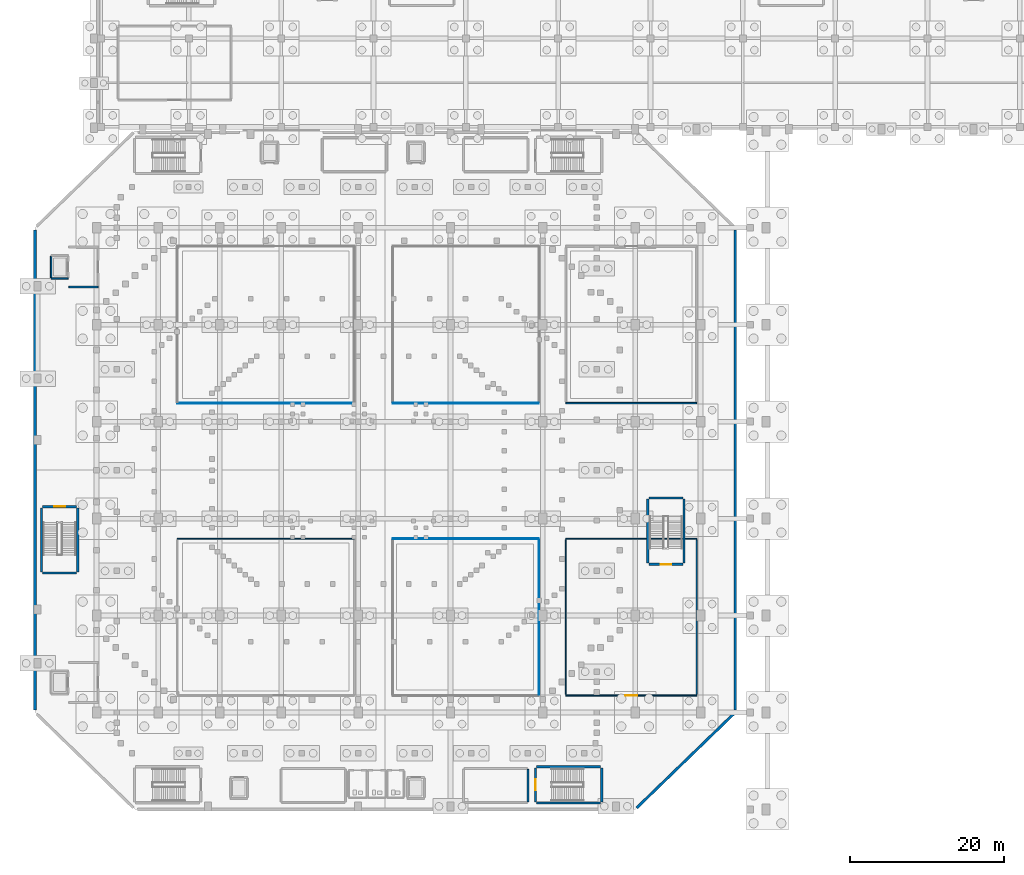
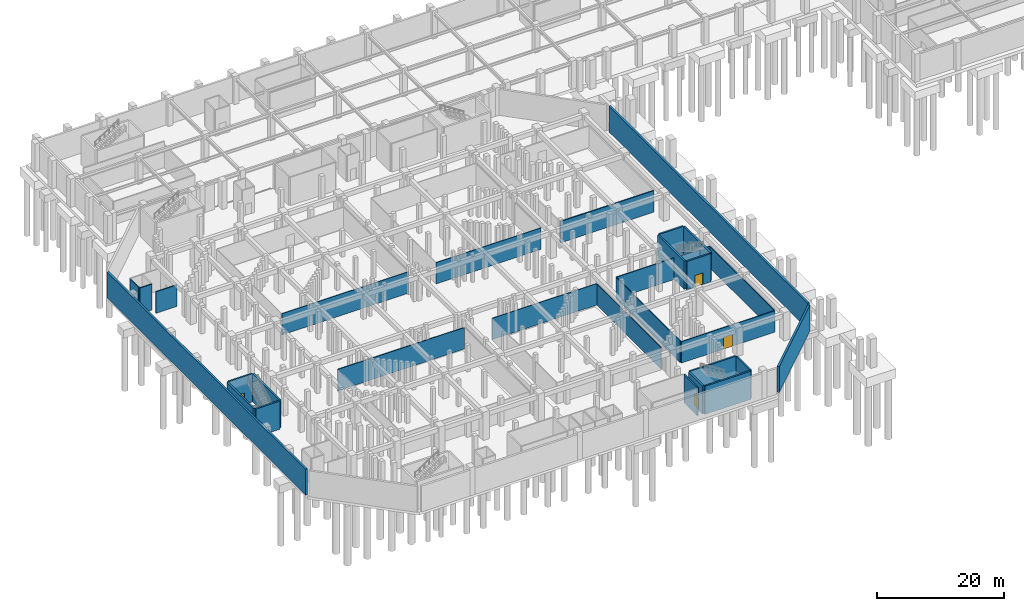
# One storey, part 15 of 27: 29 walls, 4 doors, 4 openings.
"""IFC4 building model written with IfcOpenShell, lengths in metres."""

import ifcopenshell
import ifcopenshell.guid

model = None  # the IFC model being written
_history = None  # IfcOwnerHistory: only IFC2X3 demands one
_inside = {}  # id of a spatial element -> (the spatial element, [elements in it])
_under = {}  # id of a project, library or spatial element -> (it, [spatial elements below it])
_declared = {}  # id of a project -> (the project, [libraries it declares])
_typed = {}  # id of a type object -> (the type object, [elements of that type])
_made_of = {}  # id of a material, layer set ... -> (it, [elements and type objects made of it])


def new_model(schema):
    """Start an empty IFC model of exactly this schema.

    Asked for "IFC4X3", IfcOpenShell would pick the latest addendum, in which some entities
    have other attributes; the version numbers below select the first issue.
    IFC2X3 requires an IfcOwnerHistory on every rooted entity: one is made here for all.
    """
    global model, _history
    if schema == "IFC4X3":
        model = ifcopenshell.file(schema_version=(4, 3, 0, 0))
    else:
        model = ifcopenshell.file(schema=schema)
    _inside.clear()
    _under.clear()
    _declared.clear()
    _typed.clear()
    _made_of.clear()
    _history = None
    if model.schema == "IFC2X3":
        org = make("IfcOrganization", Name="unknown")
        user = make(
            "IfcPersonAndOrganization",
            ThePerson=make("IfcPerson", FamilyName="unknown"),
            TheOrganization=org,
        )
        app = make(
            "IfcApplication",
            ApplicationDeveloper=org,
            Version="unknown",
            ApplicationFullName="unknown",
            ApplicationIdentifier="unknown",
        )
        _history = make(
            "IfcOwnerHistory",
            OwningUser=user,
            OwningApplication=app,
            ChangeAction="ADDED",
            CreationDate=0,
        )
    return model


def make(cls, **values):
    """One entity of the class cls with the attributes given. An attribute that is None is left unset."""
    return model.create_entity(
        cls, **{name: value for name, value in values.items() if value is not None}
    )


def rooted(cls, **values):
    """An entity with a GlobalId (a new one), such as an element, a storey or a relation."""
    return make(cls, GlobalId=ifcopenshell.guid.new(), OwnerHistory=_history, **values)


def si_unit(unit_type, name, prefix=None):
    """IfcSIUnit, for example si_unit("LENGTHUNIT", "METRE", prefix="MILLI")."""
    return make("IfcSIUnit", UnitType=unit_type, Prefix=prefix, Name=name)


def derived_unit(unit_type, elements):
    """IfcDerivedUnit: a product of units, each with its exponent."""
    return make(
        "IfcDerivedUnit",
        Elements=[
            make("IfcDerivedUnitElement", Unit=unit, Exponent=power)
            for unit, power in elements
        ],
        UnitType=unit_type,
    )


def assignment(units):
    """IfcUnitAssignment: the units of a project."""
    return None if units is None else make("IfcUnitAssignment", Units=units)


def point(xyz):
    """IfcCartesianPoint."""
    return None if xyz is None else make("IfcCartesianPoint", Coordinates=xyz)


def direction(xyz):
    """IfcDirection."""
    return None if xyz is None else make("IfcDirection", DirectionRatios=xyz)


def frame(location, z_axis=None, x_axis=None):
    """IfcAxis2Placement3D, a coordinate frame: its origin and axes. An axis left out is left unset."""
    return make(
        "IfcAxis2Placement3D",
        Location=point(location),
        Axis=direction(z_axis),
        RefDirection=direction(x_axis),
    )


def frame_2d(location, x_axis=None):
    """IfcAxis2Placement2D, a coordinate frame in the plane: its origin and x axis."""
    return make(
        "IfcAxis2Placement2D", Location=point(location), RefDirection=direction(x_axis)
    )


def origin():
    """The frame at (0, 0, 0) with its axes left unset."""
    return frame((0.0, 0.0, 0.0))


def place(relative_to, where):
    """IfcLocalPlacement: puts the frame where relative to a parent placement (None: the world)."""
    return make(
        "IfcLocalPlacement", PlacementRelTo=relative_to, RelativePlacement=where
    )


def context(
    kind, dimensions, precision=None, world=None, true_north=None, identifier=None
):
    """IfcGeometricRepresentationContext, for example the 3D "Model" context."""
    return make(
        "IfcGeometricRepresentationContext",
        ContextIdentifier=identifier,
        ContextType=kind,
        CoordinateSpaceDimension=dimensions,
        Precision=precision,
        WorldCoordinateSystem=world,
        TrueNorth=true_north,
    )


def subcontext(parent, identifier, kind, view, scale=None):
    """IfcGeometricRepresentationSubContext, for example "Body" below "Model"."""
    return make(
        "IfcGeometricRepresentationSubContext",
        ContextIdentifier=identifier,
        ContextType=kind,
        ParentContext=parent,
        TargetScale=scale,
        TargetView=view,
    )


def project(units=None, contexts=None):
    """IfcProject with its units and contexts."""
    return rooted(
        "IfcProject",
        Name="project",
        RepresentationContexts=contexts,
        UnitsInContext=assignment(units),
    )


def spatial(cls, under=None, at=None, **own):
    """A site, building, storey or space (cls), placed at a placement, below another one or the project."""
    s = rooted(cls, ObjectPlacement=at, **own)
    if under is not None:
        _under.setdefault(under.id(), (under, []))[1].append(s)
    return s


def profile(cls, at=None, kind="AREA", **sizes):
    """A parametric profile (cls). Its sizes go by their IFC names, for example OverallWidth=200.0."""
    return make(cls, ProfileType=kind, Position=at, **sizes)


def rectangle(**sizes):
    """IfcRectangleProfileDef."""
    return profile("IfcRectangleProfileDef", **sizes)


def extrude(swept, where, along, depth):
    """IfcExtrudedAreaSolid: the profile swept, set in the frame where, extruded along a direction by depth."""
    return make(
        "IfcExtrudedAreaSolid",
        SweptArea=swept,
        Position=where,
        ExtrudedDirection=direction(along),
        Depth=depth,
    )


def shape(context_of_items, identifier, shape_type, items):
    """IfcShapeRepresentation: the items that make up one representation, for example the "Body"."""
    return make(
        "IfcShapeRepresentation",
        ContextOfItems=context_of_items,
        RepresentationIdentifier=identifier,
        RepresentationType=shape_type,
        Items=items,
    )


def material(Name=None, Category=None):
    """IfcMaterial."""
    return make("IfcMaterial", Name=Name, Category=Category)


def layer(
    of_material, thickness, ventilated=None, Name=None, Category=None, Priority=None
):
    """IfcMaterialLayer: one layer of a wall or slab, of a material (None: an air gap)."""
    return make(
        "IfcMaterialLayer",
        Material=of_material,
        LayerThickness=thickness,
        IsVentilated=ventilated,
        Name=Name,
        Category=Category,
        Priority=Priority,
    )


def layer_set(layers, Name=None):
    """IfcMaterialLayerSet."""
    return make("IfcMaterialLayerSet", MaterialLayers=layers, LayerSetName=Name)


def made_of(thing, what):
    """Note that an element or type object is made of a material, layer set ...; save() writes the relation."""
    if what is not None:
        _made_of.setdefault(what.id(), (what, []))[1].append(thing)
    return thing


def type_object(cls, material=None, **own):
    """A type object (cls), such as IfcWallType, which elements share."""
    return made_of(rooted(cls, **own), material)


def element(
    cls,
    number,
    at=None,
    inside=None,
    cuts=None,
    type_object=None,
    material=None,
    context=None,
    identifier="Body",
    shape_type=None,
    held_by="IfcProductDefinitionShape",
    body=None,
    shapes=None,
    **own,
):
    """One element of the class cls, such as IfcWall. Its Tag is "e" and its number.

    at: its placement. inside: the storey or other place that contains it. cuts: it is an
    opening in that element (IfcRelVoidsElement). A single representation is given by context,
    identifier, shape_type and body (its items); several are given by shapes. held_by: the class
    of the entity that holds the representations. save() writes the other relations.
    """
    e = rooted(cls, Tag="e%d" % number, ObjectPlacement=at, **own)
    if body is not None:
        shapes = [shape(context, identifier, shape_type, body)]
    if shapes is not None:
        e.Representation = make(held_by, Representations=shapes)
    if inside is not None:
        _inside.setdefault(inside.id(), (inside, []))[1].append(e)
    if cuts is not None:
        rooted(
            "IfcRelVoidsElement", RelatingBuildingElement=cuts, RelatedOpeningElement=e
        )
    if type_object is not None:
        _typed.setdefault(type_object.id(), (type_object, []))[1].append(e)
    return made_of(e, material)


def fill(opening, filler):
    """IfcRelFillsElement: the door or window that sits in an opening."""
    return rooted(
        "IfcRelFillsElement",
        RelatingOpeningElement=opening,
        RelatedBuildingElement=filler,
    )


def aggregate(whole, parts):
    """IfcRelAggregates: a whole, such as a stair, and the parts it consists of."""
    return rooted("IfcRelAggregates", RelatingObject=whole, RelatedObjects=parts)


def save(model, path):
    """Write the relations noted so far, then the file.

    IfcRelAggregates (storeys below a building ...), IfcRelContainedInSpatialStructure (elements
    in a storey), IfcRelDefinesByType, IfcRelAssociatesMaterial and IfcRelDeclares: one each for
    every whole, place, type object, material and project.
    """
    for whole, parts in _under.values():
        aggregate(whole, parts)
    for where, things in _inside.values():
        rooted(
            "IfcRelContainedInSpatialStructure",
            RelatedElements=things,
            RelatingStructure=where,
        )
    for kind, things in _typed.values():
        rooted("IfcRelDefinesByType", RelatedObjects=things, RelatingType=kind)
    for what, things in _made_of.values():
        rooted("IfcRelAssociatesMaterial", RelatedObjects=things, RelatingMaterial=what)
    for by, libraries in _declared.values():
        rooted("IfcRelDeclares", RelatingContext=by, RelatedDefinitions=libraries)
    model.write(path)


model = new_model("IFC4")

# Units and contexts
model_context = context("Model", 3, precision=1e-05, world=origin(), true_north=direction((0.0, 1.0)))
body_context = subcontext(model_context, "Body", "Model", "MODEL_VIEW")
ifc_project = project(units=[si_unit("LENGTHUNIT", "METRE"), si_unit("AREAUNIT", "SQUARE_METRE"), si_unit("VOLUMEUNIT", "CUBIC_METRE"), si_unit("PLANEANGLEUNIT", "RADIAN"), si_unit("MASSUNIT", "GRAM", prefix="KILO"), derived_unit("THERMALTRANSMITTANCEUNIT", [(si_unit("MASSUNIT", "GRAM", prefix="KILO"), 1), (si_unit("TIMEUNIT", "SECOND"), -3), (si_unit("THERMODYNAMICTEMPERATUREUNIT", "KELVIN"), -1)])], contexts=[model_context])

# Site, building, storey
site_placement = place(None, origin())
site = spatial("IfcSite", under=ifc_project, at=site_placement, CompositionType="ELEMENT")
building_placement = place(site_placement, origin())
building = spatial("IfcBuilding", under=site, at=building_placement, Name="Valcora Ridge Arena", CompositionType="ELEMENT")
storey_placement = place(building_placement, frame((0.0, 0.0, -5.39990234375)))
storey = spatial("IfcBuildingStorey", under=building, at=storey_placement, Name="B1", CompositionType="ELEMENT", Elevation=-5.39990234375)

# Wall
ifc_material_1 = material(Name="Fire-rated masonry-core compartment wall C35/45 150 mm", Category="masonry")
ifc_layer_1 = layer(ifc_material_1, 0.14990234375, Name="Fire-rated masonry-core compartment wall C35/45 150 mm")
ifc_layer_set_1 = layer_set([ifc_layer_1], Name="Fire-rated masonry-core compartment wall C35/45 150 mm")
wall_type_1 = type_object("IfcWallType", Name="TY-WALL-IW-COMP-150", PredefinedType="STANDARD", material=ifc_layer_set_1)
wall_1_placement = place(storey_placement, frame((34.5, 55.199951171875, 0.0), z_axis=(0.0, 0.0, 1.0), x_axis=(1.0, 0.0, 0.0)))
element("IfcWall", 1, at=wall_1_placement, inside=storey, type_object=wall_type_1, Name="IW-COMP-150 WAL-IN-0192", PredefinedType="STANDARD", context=body_context, shape_type="SweptSolid", body=[
    extrude(rectangle(XDim=23.0, YDim=0.14990234375, at=frame_2d((11.5, 0.0))), origin(), (0.0, 0.0, 1.0), 4.10986328125),
])

# Wall, opening, door
wall_2_placement = place(storey_placement, frame((85.0, 34.800048828125, 0.0), z_axis=(0.0, 0.0, 1.0), x_axis=(1.0, 0.0, 0.0)))
wall_2 = element("IfcWall", 2, at=wall_2_placement, inside=storey, type_object=wall_type_1, Name="IW-COMP-150 WAL-IN-0207", PredefinedType="STANDARD", context=body_context, shape_type="SweptSolid", body=[
    extrude(rectangle(XDim=17.0, YDim=0.14990234375, at=frame_2d((8.5, 0.0))), origin(), (0.0, 0.0, 1.0), 4.10986328125),
])
opening_1_placement = place(wall_2_placement, frame((7.699951171875, 0.0, 0.0)))
opening_1 = element("IfcOpeningElement", 3, at=opening_1_placement, cuts=wall_2, Name="Opening FD-STR-1600", PredefinedType="OPENING", context=body_context, shape_type="SweptSolid", body=[
    extrude(rectangle(XDim=1.60009765625, YDim=2.25, at=frame_2d((0.800048828125, 1.125))), frame((0.0, 0.0849609375, 0.0), z_axis=(0.0, -1.0, 0.0), x_axis=(1.0, 0.0, 0.0)), (0.0, 0.0, 1.0), 0.169921875),
])
ifc_material_2 = material(Name="Insulated fire-rated steel door leaf", Category="steel")
door_type_1 = type_object("IfcDoorType", Name="TY-DOOR-FD-STR-1600", OperationType="NOTDEFINED", PredefinedType="DOOR", material=ifc_material_2)
door_1_placement = place(opening_1_placement, origin())
door_1 = element("IfcDoor", 4, at=door_1_placement, inside=storey, type_object=door_type_1, Name="FD-STR-1600 DOR-IN-0056", OperationType="DOUBLE_DOOR_SINGLE_SWING", OverallHeight=2.25, OverallWidth=1.60009765625, PredefinedType="DOOR", context=body_context, shape_type="SweptSolid", body=[
    extrude(rectangle(XDim=1.60009765625, YDim=2.25, at=frame_2d((0.800048828125, 1.125))), frame((0.0, 0.02490234375, 0.0), z_axis=(0.0, -1.0, 0.0), x_axis=(1.0, 0.0, 0.0)), (0.0, 0.0, 1.0), 0.050048828125),
])
fill(opening_1, door_1)

# Walls
wall_3_placement = place(storey_placement, frame((85.0, 55.199951171875, 0.0), z_axis=(0.0, 0.0, 1.0), x_axis=(1.0, 0.0, 0.0)))
element("IfcWall", 5, at=wall_3_placement, inside=storey, type_object=wall_type_1, Name="IW-COMP-150 WAL-IN-0208", PredefinedType="STANDARD", context=body_context, shape_type="SweptSolid", body=[
    extrude(rectangle(XDim=17.0, YDim=0.14990234375, at=frame_2d((8.5, 0.0))), origin(), (0.0, 0.0, 1.0), 4.10986328125),
])
for number, where, z_axis, x_axis, name in (
    (6, (85.0, 34.949951171875, 0.0), (0.0, 0.0, 1.0), (0.0, 1.0, 0.0), "IW-COMP-150 WAL-IN-0209"),
    (7, (102.0, 34.949951171875, 0.0), (0.0, 0.0, 1.0), (0.0, 1.0, 0.0), "IW-COMP-150 WAL-IN-0210"),
):
    element("IfcWall", number, at=place(storey_placement, frame(where, z_axis=z_axis, x_axis=x_axis)), inside=storey, type_object=wall_type_1, Name=name, PredefinedType="STANDARD", context=body_context, shape_type="SweptSolid", body=[
        extrude(rectangle(XDim=20.10009765625, YDim=0.14990234375, at=frame_2d((10.050048828125, 0.0))), origin(), (0.0, 0.0, 1.0), 4.10986328125),
    ])
ifc_material_3 = material(Name="Fire-resisting reinforced concrete enclosure C40/50 200 mm", Category="concrete")
ifc_layer_2 = layer(ifc_material_3, 0.199951171875, Name="Fire-resisting reinforced concrete enclosure C40/50 200 mm")
ifc_layer_set_2 = layer_set([ifc_layer_2], Name="Fire-resisting reinforced concrete enclosure C40/50 200 mm")
wall_type_2 = type_object("IfcWallType", Name="TY-WALL-IW-FIRE-200", PredefinedType="STANDARD", material=ifc_layer_set_2)
wall_4_placement = place(storey_placement, frame((20.39990234375, 87.89990234375, 0.0), z_axis=(0.0, 0.0, 1.0), x_axis=(1.0, 0.0, 0.0)))
element("IfcWall", 8, at=wall_4_placement, inside=storey, type_object=wall_type_2, Name="IW-FIRE-200 WAL-IN-0022", PredefinedType="STANDARD", context=body_context, shape_type="SweptSolid", body=[
    extrude(rectangle(XDim=3.800048828125, YDim=0.199951171875, at=frame_2d((1.89990234375, 0.0))), origin(), (0.0, 0.0, 1.0), 4.10986328125),
])
wall_5_placement = place(storey_placement, frame((85.0, 72.800048828125, 0.0), z_axis=(0.0, 0.0, 1.0), x_axis=(1.0, 0.0, 0.0)))
element("IfcWall", 9, at=wall_5_placement, inside=storey, type_object=wall_type_2, Name="IW-FIRE-200 WAL-IN-0211", PredefinedType="STANDARD", context=body_context, shape_type="SweptSolid", body=[
    extrude(rectangle(XDim=17.0, YDim=0.199951171875, at=frame_2d((8.5, 0.0))), origin(), (0.0, 0.0, 1.0), 4.10986328125),
])
ifc_material_4 = material(Name="Acoustic metal-stud gypsum partition 120 mm")
ifc_layer_3 = layer(ifc_material_4, 0.1201171875, Name="Acoustic metal-stud gypsum partition 120 mm")
ifc_layer_set_3 = layer_set([ifc_layer_3], Name="Acoustic metal-stud gypsum partition 120 mm")
wall_type_3 = type_object("IfcWallType", Name="TY-WALL-IW-PART-120", PredefinedType="PARTITIONING", material=ifc_layer_set_3)
wall_6_placement = place(storey_placement, frame((62.5, 55.199951171875, 0.0), z_axis=(0.0, 0.0, 1.0), x_axis=(1.0, 0.0, 0.0)))
element("IfcWall", 10, at=wall_6_placement, inside=storey, type_object=wall_type_3, Name="IW-PART-120 WAL-IN-0196", PredefinedType="PARTITIONING", context=body_context, shape_type="SweptSolid", body=[
    extrude(rectangle(XDim=19.0, YDim=0.1201171875, at=frame_2d((9.5, 0.0))), origin(), (0.0, 0.0, 1.0), 4.10986328125),
])
wall_7_placement = place(storey_placement, frame((81.5, 34.919921875, 0.0), z_axis=(0.0, 0.0, 1.0), x_axis=(0.0, 1.0, 0.0)))
element("IfcWall", 11, at=wall_7_placement, inside=storey, type_object=wall_type_3, Name="IW-PART-120 WAL-IN-0198", PredefinedType="PARTITIONING", context=body_context, shape_type="SweptSolid", body=[
    extrude(rectangle(XDim=20.16015625, YDim=0.1201171875, at=frame_2d((10.080078125, 0.0))), origin(), (0.0, 0.0, 1.0), 4.10986328125),
])
wall_8_placement = place(storey_placement, frame((34.5, 72.800048828125, 0.0), z_axis=(0.0, 0.0, 1.0), x_axis=(1.0, 0.0, 0.0)))
element("IfcWall", 12, at=wall_8_placement, inside=storey, type_object=wall_type_3, Name="IW-PART-120 WAL-IN-0199", PredefinedType="PARTITIONING", context=body_context, shape_type="SweptSolid", body=[
    extrude(rectangle(XDim=23.0, YDim=0.1201171875, at=frame_2d((11.5, 0.0))), origin(), (0.0, 0.0, 1.0), 4.10986328125),
])
wall_9_placement = place(storey_placement, frame((62.5, 72.800048828125, 0.0), z_axis=(0.0, 0.0, 1.0), x_axis=(1.0, 0.0, 0.0)))
element("IfcWall", 13, at=wall_9_placement, inside=storey, type_object=wall_type_3, Name="IW-PART-120 WAL-IN-0203", PredefinedType="PARTITIONING", context=body_context, shape_type="SweptSolid", body=[
    extrude(rectangle(XDim=19.0, YDim=0.1201171875, at=frame_2d((9.5, 0.0))), origin(), (0.0, 0.0, 1.0), 4.10986328125),
])
ifc_material_5 = material(Name="Concrete C40/50", Category="concrete")
ifc_layer_4 = layer(ifc_material_5, 0.199951171875, Name="Concrete C40/50")
ifc_layer_set_4 = layer_set([ifc_layer_4], Name="Concrete C40/50")
wall_type_4 = type_object("IfcWallType", Name="TY-WALL-IW-SHF-200", PredefinedType="STANDARD", material=ifc_layer_set_4)
wall_10_placement = place(storey_placement, frame((18.10009765625, 89.0, 0.0), z_axis=(0.0, 0.0, 1.0), x_axis=(1.0, 0.0, 0.0)))
element("IfcWall", 14, at=wall_10_placement, inside=storey, type_object=wall_type_4, Name="IW-SHF-200 WAL-SH-0029", PredefinedType="STANDARD", context=body_context, shape_type="SweptSolid", body=[
    extrude(rectangle(XDim=2.199951171875, YDim=0.199951171875, at=frame_2d((1.10009765625, 0.0))), origin(), (0.0, 0.0, 1.0), 4.9599609375),
])
wall_11_placement = place(storey_placement, frame((18.10009765625, 89.1201171875, 0.0), z_axis=(0.0, 0.0, 1.0), x_axis=(0.0, 1.0, 0.0)))
element("IfcWall", 15, at=wall_11_placement, inside=storey, type_object=wall_type_4, Name="IW-SHF-200 WAL-SH-0031", PredefinedType="STANDARD", context=body_context, shape_type="SweptSolid", body=[
    extrude(rectangle(XDim=2.759765625, YDim=0.199951171875, at=frame_2d((1.3798828125, 0.0))), origin(), (0.0, 0.0, 1.0), 4.9599609375),
])
ifc_material_6 = material(Name="Concrete C45/55", Category="concrete")
ifc_layer_5 = layer(ifc_material_6, 0.300048828125, Name="Concrete C45/55")
ifc_layer_set_5 = layer_set([ifc_layer_5], Name="Concrete C45/55")
wall_type_5 = type_object("IfcWallType", Name="TY-WALL-SW-C300-L", PredefinedType="SHEAR", material=ifc_layer_set_5)
for number, where, z_axis, x_axis, name in (
    (16, (81.199951171875, 20.85009765625, 0.0), (0.0, 0.0, 1.0), (1.0, 0.0, 0.0), "SW-C300-L WAL-CR-0029"),
    (17, (81.199951171875, 25.550048828125, 0.0), (0.0, 0.0, 1.0), (1.0, 0.0, 0.0), "SW-C300-L WAL-CR-0030"),
    (18, (16.85009765625, 50.8798828125, 0.0), (0.0, 0.0, 1.0), (0.0, 1.0, 0.0), "SW-C300-L WAL-CR-0107"),
    (19, (21.550048828125, 50.8798828125, 0.0), (0.0, 0.0, 1.0), (0.0, 1.0, 0.0), "SW-C300-L WAL-CR-0108"),
    (20, (95.64990234375, 52.0, 0.0), (0.0, 0.0, 1.0), (0.0, 1.0, 0.0), "SW-C300-L WAL-CR-0135"),
    (21, (100.35009765625, 52.0, 0.0), (0.0, 0.0, 1.0), (0.0, 1.0, 0.0), "SW-C300-L WAL-CR-0136"),
):
    element("IfcWall", number, at=place(storey_placement, frame(where, z_axis=z_axis, x_axis=x_axis)), inside=storey, type_object=wall_type_5, Name=name, PredefinedType="SHEAR", context=body_context, shape_type="SweptSolid", body=[
        extrude(rectangle(XDim=8.320068359375, YDim=0.300048828125, at=frame_2d((4.16015625, 0.0))), origin(), (0.0, 0.0, 1.0), 5.39990234375),
    ])

# Wall, opening, door
ifc_layer_6 = layer(ifc_material_6, 0.300048828125, Name="Concrete C45/55")
ifc_layer_set_6 = layer_set([ifc_layer_6], Name="Concrete C45/55")
wall_type_6 = type_object("IfcWallType", Name="TY-WALL-SW-C300-S", PredefinedType="SHEAR", material=ifc_layer_set_6)
wall_12_placement = place(storey_placement, frame((81.050048828125, 21.0, 0.0), z_axis=(0.0, 0.0, 1.0), x_axis=(0.0, 1.0, 0.0)))
wall_12 = element("IfcWall", 22, at=wall_12_placement, inside=storey, type_object=wall_type_6, Name="SW-C300-S WAL-CR-0031", PredefinedType="SHEAR", context=body_context, shape_type="SweptSolid", body=[
    extrude(rectangle(XDim=4.39990234375, YDim=0.300048828125, at=frame_2d((2.199951171875, 0.0))), origin(), (0.0, 0.0, 1.0), 5.39990234375),
])
opening_2_placement = place(wall_12_placement, frame((1.5, 0.0, 0.0)))
opening_2 = element("IfcOpeningElement", 23, at=opening_2_placement, cuts=wall_12, Name="Opening FD-01", PredefinedType="OPENING", context=body_context, shape_type="SweptSolid", body=[
    extrude(rectangle(XDim=1.39990234375, YDim=2.199951171875, at=frame_2d((0.699951171875, 1.10009765625))), frame((0.0, 0.159912109375, 0.0), z_axis=(0.0, -1.0, 0.0), x_axis=(1.0, 0.0, 0.0)), (0.0, 0.0, 1.0), 0.320068359375),
])
door_type_2 = type_object("IfcDoorType", Name="TY-DOOR-FD-01", OperationType="NOTDEFINED", PredefinedType="DOOR", material=ifc_material_2)
door_2_placement = place(opening_2_placement, origin())
door_2 = element("IfcDoor", 24, at=door_2_placement, inside=storey, type_object=door_type_2, Name="FD-01 DOR-ST-0008", OperationType="DOUBLE_DOOR_SINGLE_SWING", OverallHeight=2.199951171875, OverallWidth=1.39990234375, PredefinedType="DOOR", context=body_context, shape_type="SweptSolid", body=[
    extrude(rectangle(XDim=1.39990234375, YDim=2.199951171875, at=frame_2d((0.699951171875, 1.10009765625))), frame((0.0, 0.02490234375, 0.0), z_axis=(0.0, -1.0, 0.0), x_axis=(1.0, 0.0, 0.0)), (0.0, 0.0, 1.0), 0.050048828125),
])
fill(opening_2, door_2)

# Walls
for number, where, z_axis, x_axis, name in (
    (25, (89.669921875, 21.0, 0.0), (0.0, 0.0, 1.0), (0.0, 1.0, 0.0), "SW-C300-S WAL-CR-0032"),
    (26, (17.0, 50.72998046875, 0.0), (0.0, 0.0, 1.0), (1.0, 0.0, 0.0), "SW-C300-S WAL-CR-0105"),
):
    element("IfcWall", number, at=place(storey_placement, frame(where, z_axis=z_axis, x_axis=x_axis)), inside=storey, type_object=wall_type_6, Name=name, PredefinedType="SHEAR", context=body_context, shape_type="SweptSolid", body=[
        extrude(rectangle(XDim=4.39990234375, YDim=0.300048828125, at=frame_2d((2.199951171875, 0.0))), origin(), (0.0, 0.0, 1.0), 5.39990234375),
    ])

# Wall, opening, door
wall_13_placement = place(storey_placement, frame((17.0, 59.35009765625, 0.0), z_axis=(0.0, 0.0, 1.0), x_axis=(1.0, 0.0, 0.0)))
wall_13 = element("IfcWall", 27, at=wall_13_placement, inside=storey, type_object=wall_type_6, Name="SW-C300-S WAL-CR-0106", PredefinedType="SHEAR", context=body_context, shape_type="SweptSolid", body=[
    extrude(rectangle(XDim=4.39990234375, YDim=0.300048828125, at=frame_2d((2.199951171875, 0.0))), origin(), (0.0, 0.0, 1.0), 5.39990234375),
])
opening_3_placement = place(wall_13_placement, frame((1.5, 0.0, 0.0)))
opening_3 = element("IfcOpeningElement", 28, at=opening_3_placement, cuts=wall_13, Name="Opening FD-01", PredefinedType="OPENING", context=body_context, shape_type="SweptSolid", body=[
    extrude(rectangle(XDim=1.39990234375, YDim=2.199951171875, at=frame_2d((0.699951171875, 1.10009765625))), frame((0.0, 0.159912109375, 0.0), z_axis=(0.0, -1.0, 0.0), x_axis=(1.0, 0.0, 0.0)), (0.0, 0.0, 1.0), 0.320068359375),
])
door_3_placement = place(opening_3_placement, origin())
door_3 = element("IfcDoor", 29, at=door_3_placement, inside=storey, type_object=door_type_2, Name="FD-01 DOR-ST-0027", OperationType="DOUBLE_DOOR_SINGLE_SWING", OverallHeight=2.199951171875, OverallWidth=1.39990234375, PredefinedType="DOOR", context=body_context, shape_type="SweptSolid", body=[
    extrude(rectangle(XDim=1.39990234375, YDim=2.199951171875, at=frame_2d((0.699951171875, 1.10009765625))), frame((0.0, 0.02490234375, 0.0), z_axis=(0.0, -1.0, 0.0), x_axis=(1.0, 0.0, 0.0)), (0.0, 0.0, 1.0), 0.050048828125),
])
fill(opening_3, door_3)

wall_14_placement = place(storey_placement, frame((95.800048828125, 51.85009765625, 0.0), z_axis=(0.0, 0.0, 1.0), x_axis=(1.0, 0.0, 0.0)))
wall_14 = element("IfcWall", 30, at=wall_14_placement, inside=storey, type_object=wall_type_6, Name="SW-C300-S WAL-CR-0133", PredefinedType="SHEAR", context=body_context, shape_type="SweptSolid", body=[
    extrude(rectangle(XDim=4.39990234375, YDim=0.300048828125, at=frame_2d((2.199951171875, 0.0))), origin(), (0.0, 0.0, 1.0), 5.39990234375),
])
opening_4_placement = place(wall_14_placement, frame((1.5, 0.0, 0.0)))
opening_4 = element("IfcOpeningElement", 31, at=opening_4_placement, cuts=wall_14, Name="Opening FD-01", PredefinedType="OPENING", context=body_context, shape_type="SweptSolid", body=[
    extrude(rectangle(XDim=1.39990234375, YDim=2.199951171875, at=frame_2d((0.699951171875, 1.10009765625))), frame((0.0, 0.159912109375, 0.0), z_axis=(0.0, -1.0, 0.0), x_axis=(1.0, 0.0, 0.0)), (0.0, 0.0, 1.0), 0.320068359375),
])
door_4_placement = place(opening_4_placement, origin())
door_4 = element("IfcDoor", 32, at=door_4_placement, inside=storey, type_object=door_type_2, Name="FD-01 DOR-ST-0034", OperationType="DOUBLE_DOOR_SINGLE_SWING", OverallHeight=2.199951171875, OverallWidth=1.39990234375, PredefinedType="DOOR", context=body_context, shape_type="SweptSolid", body=[
    extrude(rectangle(XDim=1.39990234375, YDim=2.199951171875, at=frame_2d((0.699951171875, 1.10009765625))), frame((0.0, 0.02490234375, 0.0), z_axis=(0.0, -1.0, 0.0), x_axis=(1.0, 0.0, 0.0)), (0.0, 0.0, 1.0), 0.050048828125),
])
fill(opening_4, door_4)

# Walls
wall_15_placement = place(storey_placement, frame((95.800048828125, 60.469970703125, 0.0), z_axis=(0.0, 0.0, 1.0), x_axis=(1.0, 0.0, 0.0)))
element("IfcWall", 33, at=wall_15_placement, inside=storey, type_object=wall_type_6, Name="SW-C300-S WAL-CR-0134", PredefinedType="SHEAR", context=body_context, shape_type="SweptSolid", body=[
    extrude(rectangle(XDim=4.39990234375, YDim=0.300048828125, at=frame_2d((2.199951171875, 0.0))), origin(), (0.0, 0.0, 1.0), 5.39990234375),
])
ifc_layer_7 = layer(ifc_material_3, 0.219970703125, Name="Fire-resisting reinforced concrete enclosure C40/50 200 mm")
ifc_layer_set_7 = layer_set([ifc_layer_7], Name="Fire-resisting reinforced concrete enclosure C40/50 200 mm")
wall_type_7 = type_object("IfcWallType", Name="TY-WALL-SW-ES-220", PredefinedType="SHEAR", material=ifc_layer_set_7)
wall_16_placement = place(storey_placement, frame((80.070068359375, 21.0, 0.0), z_axis=(0.0, 0.0, 1.0), x_axis=(0.0, 1.0, 0.0)))
element("IfcWall", 34, at=wall_16_placement, inside=storey, type_object=wall_type_7, Name="SW-ES-220 WAL-ES-0028", PredefinedType="SHEAR", context=body_context, shape_type="SweptSolid", body=[
    extrude(rectangle(XDim=4.199951171875, YDim=0.219970703125, at=frame_2d((2.10009765625, 0.0))), origin(), (0.0, 0.0, 1.0), 5.39990234375),
])
ifc_layer_8 = layer(ifc_material_5, 0.35009765625, Name="Concrete C40/50")
ifc_layer_set_8 = layer_set([ifc_layer_8], Name="Concrete C40/50")
wall_type_8 = type_object("IfcWallType", Name="TY-WALL-SW-RET-350", PredefinedType="SOLIDWALL", material=ifc_layer_set_8)
wall_17_placement = place(storey_placement, frame((94.21533203125, 20.208740234375, 0.0), z_axis=(0.0, 0.0, 1.0), x_axis=(0.718073787682, 0.695966978703, 0.0)))
element("IfcWall", 35, at=wall_17_placement, inside=storey, type_object=wall_type_8, Name="SW-RET-350 WAL-RT-0002", PredefinedType="SOLIDWALL", context=body_context, shape_type="SweptSolid", body=[
    extrude(rectangle(XDim=17.504150390625, YDim=0.35009765625, at=frame_2d((8.751953125, 0.0))), origin(), (0.0, 0.0, 1.0), 4.9599609375),
])
for number, where, z_axis, x_axis, name in (
    (36, (107.0, 32.89990234375, 0.0), (0.0, 0.0, 1.0), (0.0, 1.0, 0.0), "SW-RET-350 WAL-RT-0003"),
    (37, (16.0, 95.300048828125, 0.0), (0.0, 0.0, 1.0), (0.0, -1.0, 0.0), "SW-RET-350 WAL-RT-0009"),
):
    element("IfcWall", number, at=place(storey_placement, frame(where, z_axis=z_axis, x_axis=x_axis)), inside=storey, type_object=wall_type_8, Name=name, PredefinedType="SOLIDWALL", context=body_context, shape_type="SweptSolid", body=[
        extrude(rectangle(XDim=62.400146484375, YDim=0.35009765625, at=frame_2d((31.2001953125, 0.0))), origin(), (0.0, 0.0, 1.0), 4.9599609375),
    ])

save(model, "model.ifc")
